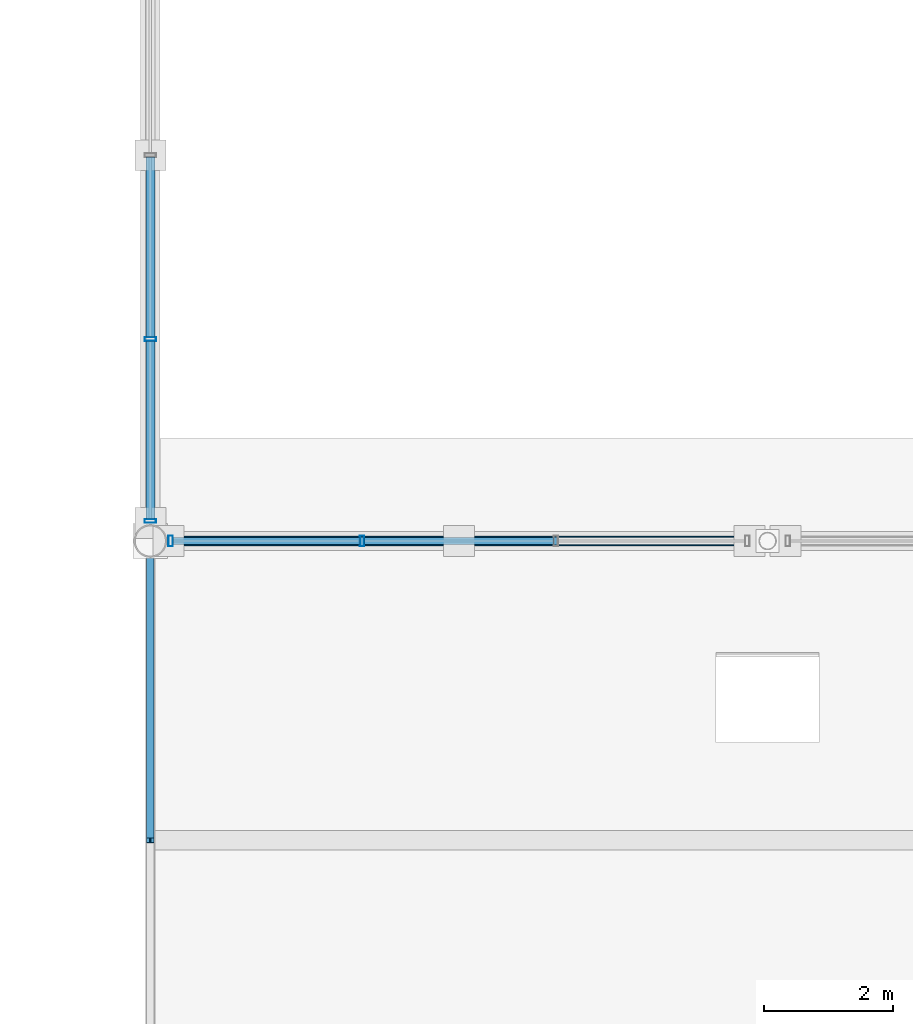
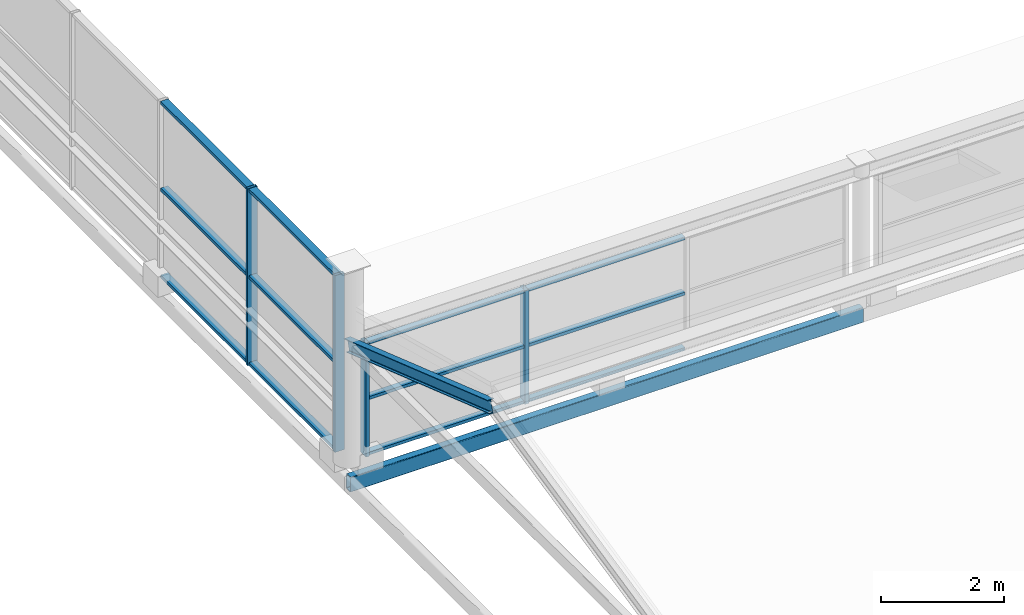
# One storey, part 59 of 117: 17 members, 1 beam, 2 elements without a shape of their own.
"""IFC4 building model written with IfcOpenShell, lengths in metres."""

from ifc_helpers import new_model, si_unit, direction, frame, origin, origin_2d, place, context, subcontext, project, spatial, hollow_rectangle, i_section, extrude, material, material_profile, profile_set, type_object, element, aggregate, save


model = new_model("IFC4")

# Units and contexts
model_context = context("Model", 3, precision=1e-05, world=origin(), true_north=direction((0.0, 1.0)))
body_context = subcontext(model_context, "Body", "Model", "MODEL_VIEW")
ifc_project = project(units=[si_unit("LENGTHUNIT", "METRE"), si_unit("AREAUNIT", "SQUARE_METRE"), si_unit("VOLUMEUNIT", "CUBIC_METRE"), si_unit("PLANEANGLEUNIT", "RADIAN"), si_unit("MASSUNIT", "GRAM", prefix="KILO")], contexts=[model_context])

# Site, building, storey
site_placement = place(None, origin())
site = spatial("IfcSite", under=ifc_project, at=site_placement, CompositionType="ELEMENT")
building_placement = place(site_placement, origin())
building = spatial("IfcBuilding", under=site, at=building_placement, Name="Merenkruunu Market Hall", CompositionType="ELEMENT")
storey_placement = place(building_placement, frame((0.0, 0.0, 10.199951171875)))
storey = spatial("IfcBuildingStorey", under=building, at=storey_placement, Name="L02", CompositionType="ELEMENT", Elevation=10.199951171875)

# Curtain wall, members
ifc_material_1 = material(Name="Powder-coated aluminium", Category="aluminium")
curtain_wall_type_1 = type_object("IfcCurtainWallType", Name="Glazed Curtain Wall CW13", PredefinedType="USERDEFINED", material=ifc_material_1)
curtain_wall_1_placement = place(storey_placement, origin())
curtain_wall_1 = element("IfcCurtainWall", 1, at=curtain_wall_1_placement, inside=storey, type_object=curtain_wall_type_1, Name="CW-L02-CWM02-138", ObjectType="GLAZED_FACADE", PredefinedType="USERDEFINED")
ifc_material_profile_1 = material_profile(ifc_material_1, hollow_rectangle(XDim=0.06005859375, YDim=0.179931640625, WallThickness=0.00390625, at=origin_2d()), Name="ALU 60x180x4")
ifc_profile_set_1 = profile_set([ifc_material_profile_1], Name="Powder-coated aluminium")
member_type_1 = type_object("IfcMemberType", Name="Curtain Wall Mullion CWM02", PredefinedType="MULLION", material=ifc_profile_set_1)
member_1_placement = place(storey_placement, frame((57.60009765625, 102.739990234375, 0.0), z_axis=(0.0, 0.0, 1.0), x_axis=(0.0, -1.0, 0.0)))
member_1 = element("IfcMember", 2, at=member_1_placement, type_object=member_type_1, Name="CW13 mullion 4", PredefinedType="MULLION", context=body_context, shape_type="SweptSolid", body=[
    extrude(hollow_rectangle(XDim=0.06005859375, YDim=0.179931640625, WallThickness=0.00390625, at=origin_2d()), origin(), (0.0, 0.0, 1.0), 3.5),
])
member_2_placement = place(storey_placement, frame((57.60009765625, 99.909912109375, 0.0), z_axis=(0.0, 0.0, 1.0), x_axis=(0.0, -1.0, 0.0)))
member_2 = element("IfcMember", 3, at=member_2_placement, type_object=member_type_1, Name="CW13 mullion 5", PredefinedType="MULLION", context=body_context, shape_type="SweptSolid", body=[
    extrude(hollow_rectangle(XDim=0.06005859375, YDim=0.179931640625, WallThickness=0.00390625, at=origin_2d()), origin(), (0.0, 0.0, 1.0), 3.5),
])

curtain_wall_type_2 = type_object("IfcCurtainWallType", Name="Glazed Curtain Wall CW16", PredefinedType="USERDEFINED", material=ifc_material_1)
curtain_wall_2_placement = place(storey_placement, origin())
curtain_wall_2 = element("IfcCurtainWall", 4, at=curtain_wall_2_placement, inside=storey, type_object=curtain_wall_type_2, Name="CW-L02-CWM04-144", ObjectType="GLAZED_FACADE", PredefinedType="USERDEFINED")
ifc_material_profile_2 = material_profile(ifc_material_1, hollow_rectangle(XDim=0.070068359375, YDim=0.169921875, WallThickness=0.0048828125, at=origin_2d()), Name="ALU 70x170x5")
ifc_profile_set_2 = profile_set([ifc_material_profile_2], Name="Powder-coated aluminium")
member_type_2 = type_object("IfcMemberType", Name="Curtain Wall Mullion CWM04", PredefinedType="MULLION", material=ifc_profile_set_2)
member_3_placement = place(storey_placement, frame((57.9150390625, 99.60009765625, 0.0), z_axis=(0.0, 0.0, 1.0), x_axis=(1.0, 0.0, 0.0)))
member_3 = element("IfcMember", 5, at=member_3_placement, type_object=member_type_2, Name="CW16 mullion 1", PredefinedType="MULLION", context=body_context, shape_type="SweptSolid", body=[
    extrude(hollow_rectangle(XDim=0.070068359375, YDim=0.169921875, WallThickness=0.0048828125, at=origin_2d()), origin(), (0.0, 0.0, 1.0), 2.25),
])
member_4_placement = place(storey_placement, frame((60.893310546875, 99.60009765625, 0.0), z_axis=(0.0, 0.0, 1.0), x_axis=(1.0, 0.0, 0.0)))
member_4 = element("IfcMember", 6, at=member_4_placement, type_object=member_type_2, Name="CW16 mullion 2", PredefinedType="MULLION", context=body_context, shape_type="SweptSolid", body=[
    extrude(hollow_rectangle(XDim=0.070068359375, YDim=0.169921875, WallThickness=0.0048828125, at=origin_2d()), origin(), (0.0, 0.0, 1.0), 2.25),
])

# Member
ifc_material_profile_3 = material_profile(ifc_material_1, hollow_rectangle(XDim=0.06005859375, YDim=0.139892578125, WallThickness=0.00390625, at=origin_2d()), Name="ALU 60x140x4")
ifc_profile_set_3 = profile_set([ifc_material_profile_3], Name="Powder-coated aluminium")
member_type_3 = type_object("IfcMemberType", Name="Curtain Wall Transom CWT02", PredefinedType="USERDEFINED", material=ifc_profile_set_3)
member_5_placement = place(storey_placement, frame((57.60009765625, 105.570068359375, 0.030029296875), z_axis=(0.0, -1.0, 0.0), x_axis=(0.0, 0.0, 1.0)))
member_5 = element("IfcMember", 7, at=member_5_placement, type_object=member_type_3, Name="CW13 transom 3.1", ObjectType="TRANSOM", PredefinedType="USERDEFINED", context=body_context, shape_type="SweptSolid", body=[
    extrude(hollow_rectangle(XDim=0.06005859375, YDim=0.139892578125, WallThickness=0.00390625, at=origin_2d()), origin(), (0.0, 0.0, 1.0), 2.800048828125),
])

member_6_placement = place(storey_placement, frame((57.60009765625, 105.570068359375, 1.75), z_axis=(0.0, -1.0, 0.0), x_axis=(0.0, 0.0, 1.0)))
member_6 = element("IfcMember", 8, at=member_6_placement, type_object=member_type_3, Name="CW13 transom 3.2", ObjectType="TRANSOM", PredefinedType="USERDEFINED", context=body_context, shape_type="SweptSolid", body=[
    extrude(hollow_rectangle(XDim=0.06005859375, YDim=0.139892578125, WallThickness=0.00390625, at=origin_2d()), origin(), (0.0, 0.0, 1.0), 2.800048828125),
])

member_7_placement = place(storey_placement, frame((57.60009765625, 105.570068359375, 3.469970703125), z_axis=(0.0, -1.0, 0.0), x_axis=(0.0, 0.0, 1.0)))
member_7 = element("IfcMember", 9, at=member_7_placement, type_object=member_type_3, Name="CW13 transom 3.3", ObjectType="TRANSOM", PredefinedType="USERDEFINED", context=body_context, shape_type="SweptSolid", body=[
    extrude(hollow_rectangle(XDim=0.06005859375, YDim=0.139892578125, WallThickness=0.00390625, at=origin_2d()), origin(), (0.0, 0.0, 1.0), 2.800048828125),
])

member_8_placement = place(storey_placement, frame((57.60009765625, 102.7099609375, 0.030029296875), z_axis=(0.0, -1.0, 0.0), x_axis=(0.0, 0.0, 1.0)))
member_8 = element("IfcMember", 10, at=member_8_placement, type_object=member_type_3, Name="CW13 transom 4.1", ObjectType="TRANSOM", PredefinedType="USERDEFINED", context=body_context, shape_type="SweptSolid", body=[
    extrude(hollow_rectangle(XDim=0.06005859375, YDim=0.139892578125, WallThickness=0.00390625, at=origin_2d()), origin(), (0.0, 0.0, 1.0), 2.77001953125),
])

member_9_placement = place(storey_placement, frame((57.60009765625, 102.7099609375, 1.75), z_axis=(0.0, -1.0, 0.0), x_axis=(0.0, 0.0, 1.0)))
member_9 = element("IfcMember", 11, at=member_9_placement, type_object=member_type_3, Name="CW13 transom 4.2", ObjectType="TRANSOM", PredefinedType="USERDEFINED", context=body_context, shape_type="SweptSolid", body=[
    extrude(hollow_rectangle(XDim=0.06005859375, YDim=0.139892578125, WallThickness=0.00390625, at=origin_2d()), origin(), (0.0, 0.0, 1.0), 2.77001953125),
])

member_10_placement = place(storey_placement, frame((57.60009765625, 102.7099609375, 3.469970703125), z_axis=(0.0, -1.0, 0.0), x_axis=(0.0, 0.0, 1.0)))
member_10 = element("IfcMember", 12, at=member_10_placement, type_object=member_type_3, Name="CW13 transom 4.3", ObjectType="TRANSOM", PredefinedType="USERDEFINED", context=body_context, shape_type="SweptSolid", body=[
    extrude(hollow_rectangle(XDim=0.06005859375, YDim=0.139892578125, WallThickness=0.00390625, at=origin_2d()), origin(), (0.0, 0.0, 1.0), 2.77001953125),
])

aggregate(curtain_wall_1, [member_1, member_2, member_5, member_6, member_7, member_8, member_9, member_10])

ifc_material_profile_4 = material_profile(ifc_material_1, hollow_rectangle(XDim=0.06005859375, YDim=0.110107421875, WallThickness=0.00390625, at=origin_2d()), Name="ALU 60x110x4")
ifc_profile_set_4 = profile_set([ifc_material_profile_4], Name="Powder-coated aluminium")
member_type_4 = type_object("IfcMemberType", Name="Curtain Wall Transom CWT03", PredefinedType="USERDEFINED", material=ifc_profile_set_4)
member_11_placement = place(storey_placement, frame((57.949951171875, 99.60009765625, 0.030029296875), z_axis=(1.0, 0.0, 0.0), x_axis=(0.0, 0.0, 1.0)))
member_11 = element("IfcMember", 13, at=member_11_placement, type_object=member_type_4, Name="CW16 transom 1.1", ObjectType="TRANSOM", PredefinedType="USERDEFINED", context=body_context, shape_type="SweptSolid", body=[
    extrude(hollow_rectangle(XDim=0.06005859375, YDim=0.110107421875, WallThickness=0.00390625, at=origin_2d()), origin(), (0.0, 0.0, 1.0), 2.908447265625),
])

member_12_placement = place(storey_placement, frame((57.949951171875, 99.60009765625, 1.125), z_axis=(1.0, 0.0, 0.0), x_axis=(0.0, 0.0, 1.0)))
member_12 = element("IfcMember", 14, at=member_12_placement, type_object=member_type_4, Name="CW16 transom 1.2", ObjectType="TRANSOM", PredefinedType="USERDEFINED", context=body_context, shape_type="SweptSolid", body=[
    extrude(hollow_rectangle(XDim=0.06005859375, YDim=0.110107421875, WallThickness=0.00390625, at=origin_2d()), origin(), (0.0, 0.0, 1.0), 2.908447265625),
])

member_13_placement = place(storey_placement, frame((57.949951171875, 99.60009765625, 2.219970703125), z_axis=(1.0, 0.0, 0.0), x_axis=(0.0, 0.0, 1.0)))
member_13 = element("IfcMember", 15, at=member_13_placement, type_object=member_type_4, Name="CW16 transom 1.3", ObjectType="TRANSOM", PredefinedType="USERDEFINED", context=body_context, shape_type="SweptSolid", body=[
    extrude(hollow_rectangle(XDim=0.06005859375, YDim=0.110107421875, WallThickness=0.00390625, at=origin_2d()), origin(), (0.0, 0.0, 1.0), 2.908447265625),
])

member_14_placement = place(storey_placement, frame((60.92822265625, 99.60009765625, 0.030029296875), z_axis=(1.0, 0.0, 0.0), x_axis=(0.0, 0.0, 1.0)))
member_14 = element("IfcMember", 16, at=member_14_placement, type_object=member_type_4, Name="CW16 transom 2.1", ObjectType="TRANSOM", PredefinedType="USERDEFINED", context=body_context, shape_type="SweptSolid", body=[
    extrude(hollow_rectangle(XDim=0.06005859375, YDim=0.110107421875, WallThickness=0.00390625, at=origin_2d()), origin(), (0.0, 0.0, 1.0), 2.943359375),
])

member_15_placement = place(storey_placement, frame((60.92822265625, 99.60009765625, 1.125), z_axis=(1.0, 0.0, 0.0), x_axis=(0.0, 0.0, 1.0)))
member_15 = element("IfcMember", 17, at=member_15_placement, type_object=member_type_4, Name="CW16 transom 2.2", ObjectType="TRANSOM", PredefinedType="USERDEFINED", context=body_context, shape_type="SweptSolid", body=[
    extrude(hollow_rectangle(XDim=0.06005859375, YDim=0.110107421875, WallThickness=0.00390625, at=origin_2d()), origin(), (0.0, 0.0, 1.0), 2.943359375),
])

member_16_placement = place(storey_placement, frame((60.92822265625, 99.60009765625, 2.219970703125), z_axis=(1.0, 0.0, 0.0), x_axis=(0.0, 0.0, 1.0)))
member_16 = element("IfcMember", 18, at=member_16_placement, type_object=member_type_4, Name="CW16 transom 2.3", ObjectType="TRANSOM", PredefinedType="USERDEFINED", context=body_context, shape_type="SweptSolid", body=[
    extrude(hollow_rectangle(XDim=0.06005859375, YDim=0.110107421875, WallThickness=0.00390625, at=origin_2d()), origin(), (0.0, 0.0, 1.0), 2.943359375),
])

aggregate(curtain_wall_2, [member_3, member_4, member_11, member_12, member_13, member_14, member_15, member_16])

# Beam
ifc_material_2 = material(Name="Steel S355J2", Category="steel")
ifc_material_profile_5 = material_profile(ifc_material_2, hollow_rectangle(XDim=0.14990234375, YDim=0.300048828125, WallThickness=0.012451171875, InnerFilletRadius=0.012451171875, OuterFilletRadius=0.02490234375, at=origin_2d()), Name="RHS 300x150x12.5")
ifc_profile_set_5 = profile_set([ifc_material_profile_5], Name="Steel S355J2")
beam_type = type_object("IfcBeamType", Name="Perimeter Spandrel Beam SP03", PredefinedType="SPANDREL", material=ifc_profile_set_5)
beam_placement = place(storey_placement, frame((57.60009765625, 99.60009765625, -0.4599609375), z_axis=(1.0, 0.0, 0.0), x_axis=(0.0, 1.0, 0.0)))
element("IfcBeam", 19, at=beam_placement, inside=storey, type_object=beam_type, Name="BM-L02-SP03-1262", PredefinedType="SPANDREL", context=body_context, shape_type="SweptSolid", body=[
    extrude(hollow_rectangle(XDim=0.14990234375, YDim=0.300048828125, WallThickness=0.012451171875, InnerFilletRadius=0.012451171875, OuterFilletRadius=0.02490234375, at=origin_2d()), origin(), (0.0, 0.0, 1.0), 9.599853515625),
])

# Member
ifc_material_3 = material(Name="Steel S355ML", Category="steel")
ifc_material_profile_6 = material_profile(ifc_material_3, i_section(OverallWidth=0.1201171875, OverallDepth=0.239990234375, WebThickness=0.006103515625, FlangeThickness=0.009765625, FilletRadius=0.014892578125, at=origin_2d()), Name="IPE 240")
ifc_profile_set_6 = profile_set([ifc_material_profile_6], Name="Steel S355ML")
member_type_5 = type_object("IfcMemberType", Name="Roof Purlin Rafter PR02", PredefinedType="PURLIN", material=ifc_profile_set_6)
member_17_placement = place(storey_placement, frame((57.60009765625, 94.944091796875, 3.880126953125), z_axis=(0.0, 0.945711845699, -0.325006315176), x_axis=(-1.0, 0.0, 0.0)))
element("IfcMember", 20, at=member_17_placement, inside=storey, type_object=member_type_5, Name="MEM-V4-SAWR-026", PredefinedType="PURLIN", context=body_context, shape_type="SweptSolid", body=[
    extrude(i_section(OverallWidth=0.1201171875, OverallDepth=0.239990234375, WebThickness=0.006103515625, FlangeThickness=0.009765625, FilletRadius=0.014892578125, at=origin_2d()), origin(), (0.0, 0.0, 1.0), 4.92333984375),
])

save(model, "model.ifc")
